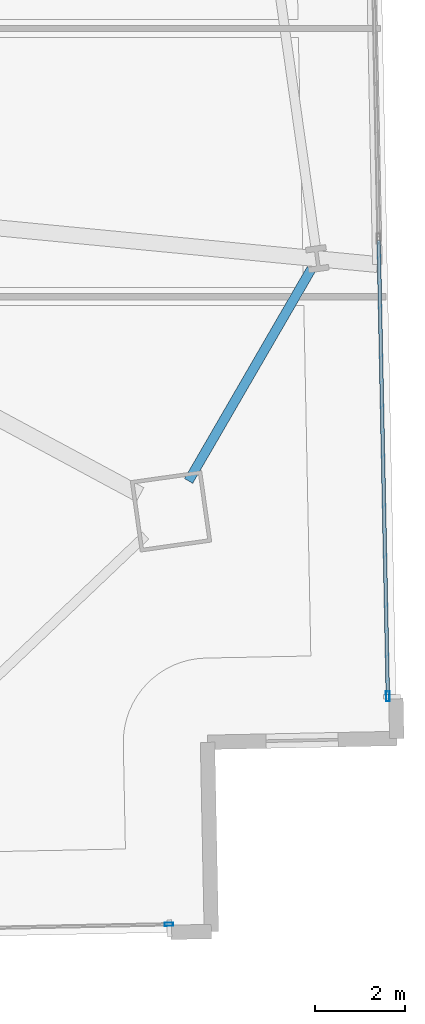
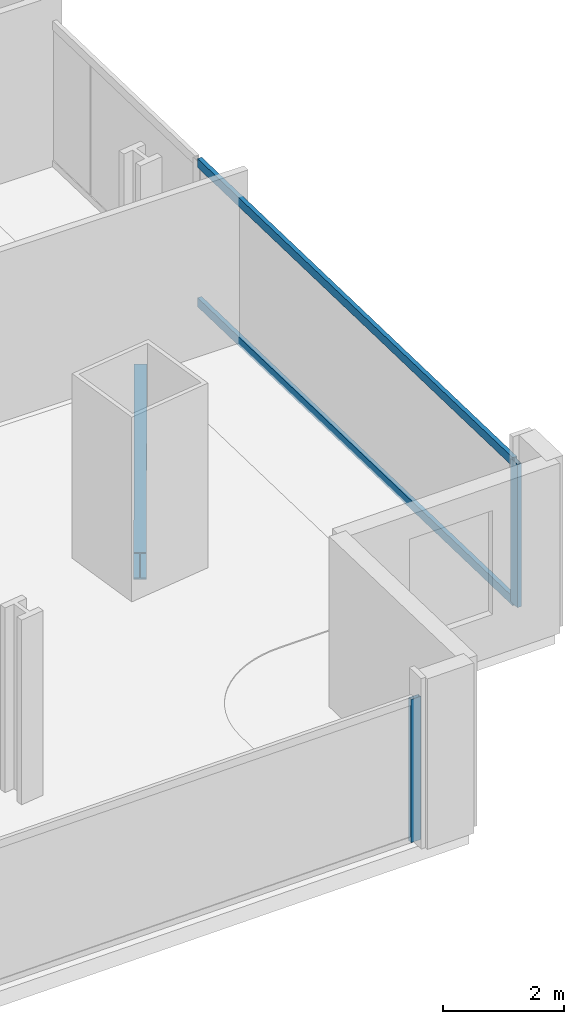
# One storey, part 12 of 35: 4 members, 1 beam, 2 elements without a shape of their own.
"""IFC4 building model written with IfcOpenShell, lengths in metres."""

from ifc_helpers import new_model, si_unit, direction, frame, origin, origin_2d, place, context, subcontext, project, spatial, hollow_rectangle, i_section, extrude, material, material_profile, profile_set, type_object, element, aggregate, save


model = new_model("IFC4")

# Units and contexts
model_context = context("Model", 3, precision=1e-05, world=origin(), true_north=direction((0.0, 1.0)))
body_context = subcontext(model_context, "Body", "Model", "MODEL_VIEW")
ifc_project = project(units=[si_unit("LENGTHUNIT", "METRE"), si_unit("AREAUNIT", "SQUARE_METRE"), si_unit("VOLUMEUNIT", "CUBIC_METRE"), si_unit("PLANEANGLEUNIT", "RADIAN"), si_unit("MASSUNIT", "GRAM", prefix="KILO")], contexts=[model_context])

# Site, building, storey
site_placement = place(None, origin())
site = spatial("IfcSite", under=ifc_project, at=site_placement, CompositionType="ELEMENT")
building_placement = place(site_placement, origin())
building = spatial("IfcBuilding", under=site, at=building_placement, Name="Haldenkirk Collegiate Tower", CompositionType="ELEMENT")
storey_placement = place(building_placement, frame((0.0, 0.0, 32.699951171875)))
storey = spatial("IfcBuildingStorey", under=building, at=storey_placement, Name="L06", CompositionType="ELEMENT", Elevation=32.699951171875)

# Beam
ifc_material_1 = material(Name="Steel ASTM A992 Grade 50", Category="steel")
ifc_material_profile_1 = material_profile(ifc_material_1, i_section(OverallWidth=0.2119140625, OverallDepth=0.5439453125, WebThickness=0.01318359375, FlangeThickness=0.021240234375, at=origin_2d()), Name="W21X83")
ifc_profile_set_1 = profile_set([ifc_material_profile_1], Name="Steel ASTM A992 Grade 50")
beam_type = type_object("IfcBeamType", Name="BM-SPANDREL-W21X83", PredefinedType="SPANDREL", material=ifc_profile_set_1)
beam_placement = place(storey_placement, frame((58.7919921875, 11.462158203125, -0.58203125), z_axis=(0.50120629055, 0.865327830543, 0.0), x_axis=(-0.865327830543, 0.50120629055, 0.0)))
element("IfcBeam", 1, at=beam_placement, inside=storey, type_object=beam_type, Name="L06 perimeter spandrel beam 05", PredefinedType="SPANDREL", context=body_context, shape_type="SweptSolid", body=[
    extrude(i_section(OverallWidth=0.2119140625, OverallDepth=0.5439453125, WebThickness=0.01318359375, FlangeThickness=0.021240234375, at=origin_2d()), origin(), (0.0, 0.0, 1.0), 5.43359375),
])

# Curtain wall, member
ifc_material_2 = material(Name="Anodised architectural bronze aluminium", Category="aluminium")
curtain_wall_type_1 = type_object("IfcCurtainWallType", Name="CW-SYS2-CONCAVE", PredefinedType="USERDEFINED", material=ifc_material_2)
curtain_wall_1_placement = place(storey_placement, origin())
curtain_wall_1 = element("IfcCurtainWall", 2, at=curtain_wall_1_placement, inside=storey, type_object=curtain_wall_type_1, Name="L06 South concave recessed bronze-anodised curtain wall", ObjectType="UNITISED CURTAIN WALL", PredefinedType="USERDEFINED")
ifc_material_profile_2 = material_profile(ifc_material_2, hollow_rectangle(XDim=0.074951171875, YDim=0.18994140625, WallThickness=0.0048828125, at=origin_2d()), Name="CW-MUL-02")
ifc_profile_set_2 = profile_set([ifc_material_profile_2], Name="Anodised architectural bronze aluminium")
member_type_1 = type_object("IfcMemberType", Name="CW-MUL-02", PredefinedType="MULLION", material=ifc_profile_set_2)
member_1_placement = place(storey_placement, frame((58.356201171875, 1.623779296875, 0.0), z_axis=(0.0, 0.0, 1.0), x_axis=(0.020068437719, -0.999798608625, 0.0)))
member_1 = element("IfcMember", 3, at=member_1_placement, type_object=member_type_1, Name="CW-02 mullion 1", PredefinedType="MULLION", context=body_context, shape_type="SweptSolid", body=[
    extrude(hollow_rectangle(XDim=0.074951171875, YDim=0.18994140625, WallThickness=0.0048828125, at=origin_2d()), origin(), (0.0, 0.0, 1.0), 2.89111328125),
])
aggregate(curtain_wall_1, [member_1])

# Curtain wall, members
curtain_wall_type_2 = type_object("IfcCurtainWallType", Name="CW-SYS1-CONVEX-LOW", PredefinedType="USERDEFINED", material=ifc_material_2)
curtain_wall_2_placement = place(storey_placement, origin())
curtain_wall_2 = element("IfcCurtainWall", 4, at=curtain_wall_2_placement, inside=storey, type_object=curtain_wall_type_2, Name="L06 Lower tower convex bronze-framed unitised curtain wall", ObjectType="UNITISED CURTAIN WALL", PredefinedType="USERDEFINED")
ifc_material_profile_3 = material_profile(ifc_material_2, hollow_rectangle(XDim=0.080078125, YDim=0.219970703125, WallThickness=0.0048828125, at=origin_2d()), Name="CW-MUL-1A")
ifc_profile_set_3 = profile_set([ifc_material_profile_3], Name="Anodised architectural bronze aluminium")
member_type_2 = type_object("IfcMemberType", Name="CW-MUL-1A", PredefinedType="MULLION", material=ifc_profile_set_3)
member_2_placement = place(storey_placement, frame((63.213134765625, 6.682373046875, 0.0), z_axis=(0.0, 0.0, 1.0), x_axis=(0.999798604983, 0.020068619127, 0.0)))
member_2 = element("IfcMember", 5, at=member_2_placement, type_object=member_type_2, Name="CW-1A mullion 5", PredefinedType="MULLION", context=body_context, shape_type="SweptSolid", body=[
    extrude(hollow_rectangle(XDim=0.080078125, YDim=0.219970703125, WallThickness=0.0048828125, at=origin_2d()), origin(), (0.0, 0.0, 1.0), 2.89111328125),
])
ifc_material_profile_4 = material_profile(ifc_material_2, hollow_rectangle(XDim=0.080078125, YDim=0.179931640625, WallThickness=0.0048828125, at=origin_2d()), Name="CW-TRN-1A")
ifc_profile_set_4 = profile_set([ifc_material_profile_4], Name="Anodised architectural bronze aluminium")
member_type_3 = type_object("IfcMemberType", Name="CW-TRN-1A", PredefinedType="USERDEFINED", material=ifc_profile_set_4)
member_3_placement = place(storey_placement, frame((63.010009765625, 16.80029296875, 0.0400390625), z_axis=(0.020078315943, -0.999798410295, 0.0), x_axis=(0.999798410295, 0.020078315943, 0.0)))
member_3 = element("IfcMember", 6, at=member_3_placement, type_object=member_type_3, Name="CW-1A transom 4.1", ObjectType="TRANSOM", PredefinedType="USERDEFINED", context=body_context, shape_type="SweptSolid", body=[
    extrude(hollow_rectangle(XDim=0.080078125, YDim=0.179931640625, WallThickness=0.0048828125, at=origin_2d()), origin(), (0.0, 0.0, 1.0), 10.080078125),
])
member_4_placement = place(storey_placement, frame((63.010009765625, 16.80029296875, 2.85107421875), z_axis=(0.020078315943, -0.999798410295, 0.0), x_axis=(0.999798410295, 0.020078315943, 0.0)))
member_4 = element("IfcMember", 7, at=member_4_placement, type_object=member_type_3, Name="CW-1A transom 4.2", ObjectType="TRANSOM", PredefinedType="USERDEFINED", context=body_context, shape_type="SweptSolid", body=[
    extrude(hollow_rectangle(XDim=0.080078125, YDim=0.179931640625, WallThickness=0.0048828125, at=origin_2d()), origin(), (0.0, 0.0, 1.0), 10.080078125),
])
aggregate(curtain_wall_2, [member_2, member_3, member_4])

save(model, "model.ifc")
